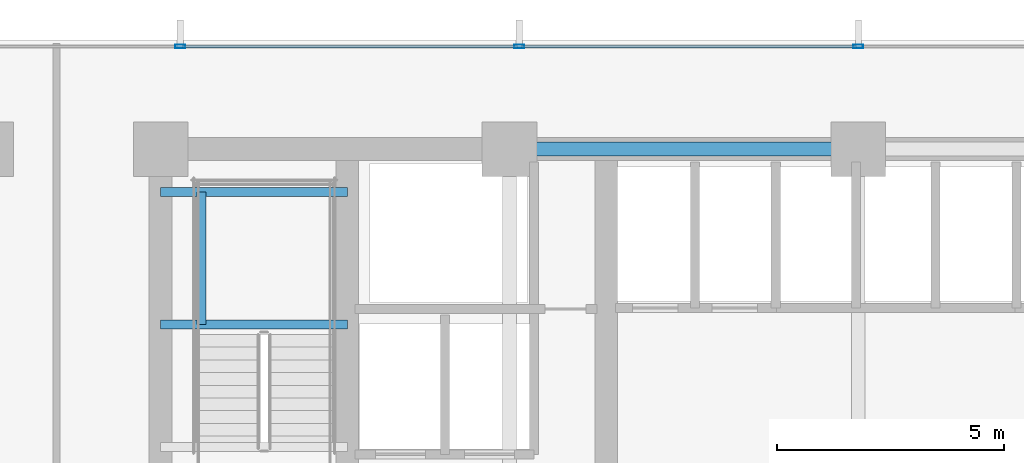
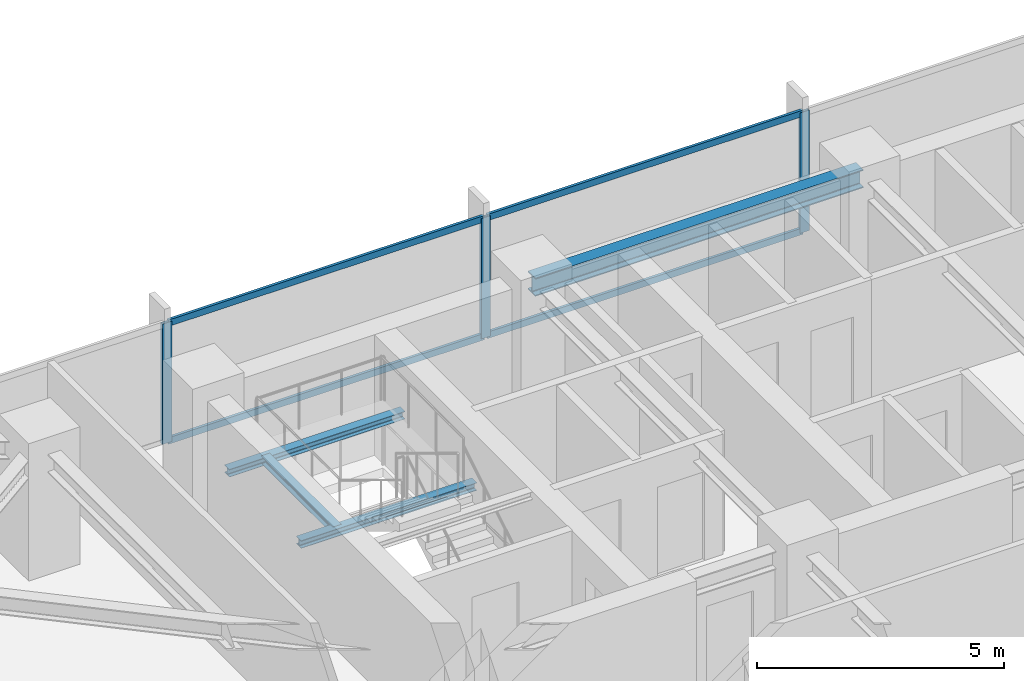
# One storey, part 18 of 32: 7 members, 4 beams, 1 element without a shape of its own.
"""IFC4 building model written with IfcOpenShell, lengths in metres."""

from ifc_helpers import new_model, si_unit, direction, frame, origin, origin_2d, place, context, subcontext, project, spatial, hollow_rectangle, i_section, extrude, material, material_profile, profile_set, type_object, element, aggregate, save


model = new_model("IFC4")

# Units and contexts
model_context = context("Model", 3, precision=1e-05, world=origin(), true_north=direction((0.0, 1.0)))
body_context = subcontext(model_context, "Body", "Model", "MODEL_VIEW")
ifc_project = project(units=[si_unit("LENGTHUNIT", "METRE"), si_unit("AREAUNIT", "SQUARE_METRE"), si_unit("VOLUMEUNIT", "CUBIC_METRE"), si_unit("PLANEANGLEUNIT", "RADIAN"), si_unit("MASSUNIT", "GRAM", prefix="KILO")], contexts=[model_context])

# Site, building, storey
site_placement = place(None, origin())
site = spatial("IfcSite", under=ifc_project, at=site_placement, CompositionType="ELEMENT")
building_placement = place(site_placement, origin())
building = spatial("IfcBuilding", under=site, at=building_placement, Name="Yelkora Congress Tower", CompositionType="ELEMENT")
storey_placement = place(building_placement, frame((0.0, 0.0, 74.60009765625)))
storey = spatial("IfcBuildingStorey", under=building, at=storey_placement, Name="L19", CompositionType="ELEMENT", Elevation=74.60009765625)

# Beams
ifc_material_1 = material(Name="Steel S355J2", Category="steel")
ifc_material_profile_1 = material_profile(ifc_material_1, i_section(OverallWidth=0.300048828125, OverallDepth=0.449951171875, WebThickness=0.013916015625, FlangeThickness=0.02587890625, FilletRadius=0.027099609375, at=origin_2d()), Name="HEB 450")
ifc_profile_set_1 = profile_set([ifc_material_profile_1], Name="Steel S355J2")
beam_type_1 = type_object("IfcBeamType", Name="BM-GIRD-HEB450", PredefinedType="BEAM", material=ifc_profile_set_1)
beam_1_placement = place(storey_placement, frame((30.719970703125, 46.199951171875, 2.7548828125), z_axis=(1.0, 0.0, 0.0), x_axis=(0.0, 1.0, 0.0)))
element("IfcBeam", 1, at=beam_1_placement, inside=storey, type_object=beam_type_1, Name="L19 Core North Girder 3", PredefinedType="BEAM", context=body_context, shape_type="SweptSolid", body=[
    extrude(i_section(OverallWidth=0.300048828125, OverallDepth=0.449951171875, WebThickness=0.013916015625, FlangeThickness=0.02587890625, FilletRadius=0.027099609375, at=origin_2d()), origin(), (0.0, 0.0, 1.0), 7.679931640625),
])
ifc_material_profile_2 = material_profile(ifc_material_1, i_section(OverallWidth=0.199951171875, OverallDepth=0.18994140625, WebThickness=0.006591796875, FlangeThickness=0.010009765625, FilletRadius=0.01806640625, at=origin_2d()), Name="HEA 200")
ifc_profile_set_2 = profile_set([ifc_material_profile_2], Name="Steel S355J2")
beam_type_2 = type_object("IfcBeamType", Name="BM-LAND-HEA200", PredefinedType="BEAM", material=ifc_profile_set_2)
for number, where, z_axis, x_axis, name in (
    (2, (23.0400390625, 42.340087890625, 1.384521484375), (1.0, 0.0, 0.0), (0.0, 1.0, 0.0), "ST-01 L19 Landing Header Beam 1S"),
    (3, (23.0400390625, 45.25, 1.384521484375), (1.0, 0.0, 0.0), (0.0, 1.0, 0.0), "ST-01 L19 Landing Header Beam 1N"),
):
    element("IfcBeam", number, at=place(storey_placement, frame(where, z_axis=z_axis, x_axis=x_axis)), inside=storey, type_object=beam_type_2, Name=name, PredefinedType="BEAM", context=body_context, shape_type="SweptSolid", body=[
        extrude(i_section(OverallWidth=0.199951171875, OverallDepth=0.18994140625, WebThickness=0.006591796875, FlangeThickness=0.010009765625, FilletRadius=0.01806640625, at=origin_2d()), origin(), (0.0, 0.0, 1.0), 4.10986328125),
    ])
beam_2_placement = place(storey_placement, frame((23.93994140625, 42.340087890625, 1.384521484375), z_axis=(0.0, 1.0, 0.0), x_axis=(-1.0, 0.0, 0.0)))
element("IfcBeam", 4, at=beam_2_placement, inside=storey, type_object=beam_type_2, Name="ST-01 L19 Landing Trimmer Beam 1M", PredefinedType="BEAM", context=body_context, shape_type="SweptSolid", body=[
    extrude(i_section(OverallWidth=0.199951171875, OverallDepth=0.18994140625, WebThickness=0.006591796875, FlangeThickness=0.010009765625, FilletRadius=0.01806640625, at=origin_2d()), origin(), (0.0, 0.0, 1.0), 2.909912109375),
])

# Curtain wall, members
ifc_material_2 = material(Name="Anodised aluminium and insulated glass", Category="aluminium")
curtain_wall_type = type_object("IfcCurtainWallType", Name="CW-SYS-B1", PredefinedType="NOTDEFINED", material=ifc_material_2)
curtain_wall_placement = place(storey_placement, origin())
curtain_wall = element("IfcCurtainWall", 5, at=curtain_wall_placement, inside=storey, type_object=curtain_wall_type, Name="L19 Unitised Curtain Wall 10", PredefinedType="NOTDEFINED")
ifc_material_3 = material(Name="Anodised aluminium 6063-T6", Category="aluminium")
ifc_material_profile_3 = material_profile(ifc_material_3, hollow_rectangle(XDim=0.074951171875, YDim=0.219970703125, WallThickness=0.0048828125, at=origin_2d()), Name="ALU 75x220x5")
ifc_profile_set_3 = profile_set([ifc_material_profile_3], Name="Anodised aluminium 6063-T6")
member_type_1 = type_object("IfcMemberType", Name="MEM-ML-B1", PredefinedType="MULLION", material=ifc_profile_set_3)
member_1_placement = place(storey_placement, frame((23.469970703125, 48.4599609375, 0.0), z_axis=(0.0, 0.0, 1.0), x_axis=(0.0, 1.0, 0.0)))
member_1 = element("IfcMember", 6, at=member_1_placement, type_object=member_type_1, Name="CW-B1 mullion 3", PredefinedType="MULLION", context=body_context, shape_type="SweptSolid", body=[
    extrude(hollow_rectangle(XDim=0.074951171875, YDim=0.219970703125, WallThickness=0.0048828125, at=origin_2d()), origin(), (0.0, 0.0, 1.0), 2.97998046875),
])
member_2_placement = place(storey_placement, frame((30.93505859375, 48.4599609375, 0.0), z_axis=(0.0, 0.0, 1.0), x_axis=(0.0, 1.0, 0.0)))
member_2 = element("IfcMember", 7, at=member_2_placement, type_object=member_type_1, Name="CW-B1 mullion 4", PredefinedType="MULLION", context=body_context, shape_type="SweptSolid", body=[
    extrude(hollow_rectangle(XDim=0.074951171875, YDim=0.219970703125, WallThickness=0.0048828125, at=origin_2d()), origin(), (0.0, 0.0, 1.0), 2.97998046875),
])
member_3_placement = place(storey_placement, frame((38.39990234375, 48.4599609375, 0.0), z_axis=(0.0, 0.0, 1.0), x_axis=(0.0, 1.0, 0.0)))
member_3 = element("IfcMember", 8, at=member_3_placement, type_object=member_type_1, Name="CW-B1 mullion 5", PredefinedType="MULLION", context=body_context, shape_type="SweptSolid", body=[
    extrude(hollow_rectangle(XDim=0.074951171875, YDim=0.219970703125, WallThickness=0.0048828125, at=origin_2d()), origin(), (0.0, 0.0, 1.0), 2.97998046875),
])
ifc_material_profile_4 = material_profile(ifc_material_3, hollow_rectangle(XDim=0.06494140625, YDim=0.159912109375, WallThickness=0.00390625, at=origin_2d()), Name="ALU 65x160x4")
ifc_profile_set_4 = profile_set([ifc_material_profile_4], Name="Anodised aluminium 6063-T6")
member_type_2 = type_object("IfcMemberType", Name="MEM-TR-B1", PredefinedType="USERDEFINED", material=ifc_profile_set_4)
member_4_placement = place(storey_placement, frame((23.507568359375, 48.4599609375, 0.032470703125), z_axis=(1.0, 0.0, 0.0), x_axis=(0.0, 1.0, 0.0)))
member_4 = element("IfcMember", 9, at=member_4_placement, type_object=member_type_2, Name="CW-B1 transom 3.1", ObjectType="TRANSOM", PredefinedType="USERDEFINED", context=body_context, shape_type="SweptSolid", body=[
    extrude(hollow_rectangle(XDim=0.06494140625, YDim=0.159912109375, WallThickness=0.00390625, at=origin_2d()), origin(), (0.0, 0.0, 1.0), 7.389892578125),
])
member_5_placement = place(storey_placement, frame((23.507568359375, 48.4599609375, 2.947509765625), z_axis=(1.0, 0.0, 0.0), x_axis=(0.0, 1.0, 0.0)))
member_5 = element("IfcMember", 10, at=member_5_placement, type_object=member_type_2, Name="CW-B1 transom 3.2", ObjectType="TRANSOM", PredefinedType="USERDEFINED", context=body_context, shape_type="SweptSolid", body=[
    extrude(hollow_rectangle(XDim=0.06494140625, YDim=0.159912109375, WallThickness=0.00390625, at=origin_2d()), origin(), (0.0, 0.0, 1.0), 7.389892578125),
])
member_6_placement = place(storey_placement, frame((30.972412109375, 48.4599609375, 0.032470703125), z_axis=(1.0, 0.0, 0.0), x_axis=(0.0, 1.0, 0.0)))
member_6 = element("IfcMember", 11, at=member_6_placement, type_object=member_type_2, Name="CW-B1 transom 4.1", ObjectType="TRANSOM", PredefinedType="USERDEFINED", context=body_context, shape_type="SweptSolid", body=[
    extrude(hollow_rectangle(XDim=0.06494140625, YDim=0.159912109375, WallThickness=0.00390625, at=origin_2d()), origin(), (0.0, 0.0, 1.0), 7.39013671875),
])
member_7_placement = place(storey_placement, frame((30.972412109375, 48.4599609375, 2.947509765625), z_axis=(1.0, 0.0, 0.0), x_axis=(0.0, 1.0, 0.0)))
member_7 = element("IfcMember", 12, at=member_7_placement, type_object=member_type_2, Name="CW-B1 transom 4.2", ObjectType="TRANSOM", PredefinedType="USERDEFINED", context=body_context, shape_type="SweptSolid", body=[
    extrude(hollow_rectangle(XDim=0.06494140625, YDim=0.159912109375, WallThickness=0.00390625, at=origin_2d()), origin(), (0.0, 0.0, 1.0), 7.39013671875),
])
aggregate(curtain_wall, [member_1, member_2, member_3, member_4, member_5, member_6, member_7])

save(model, "model.ifc")
